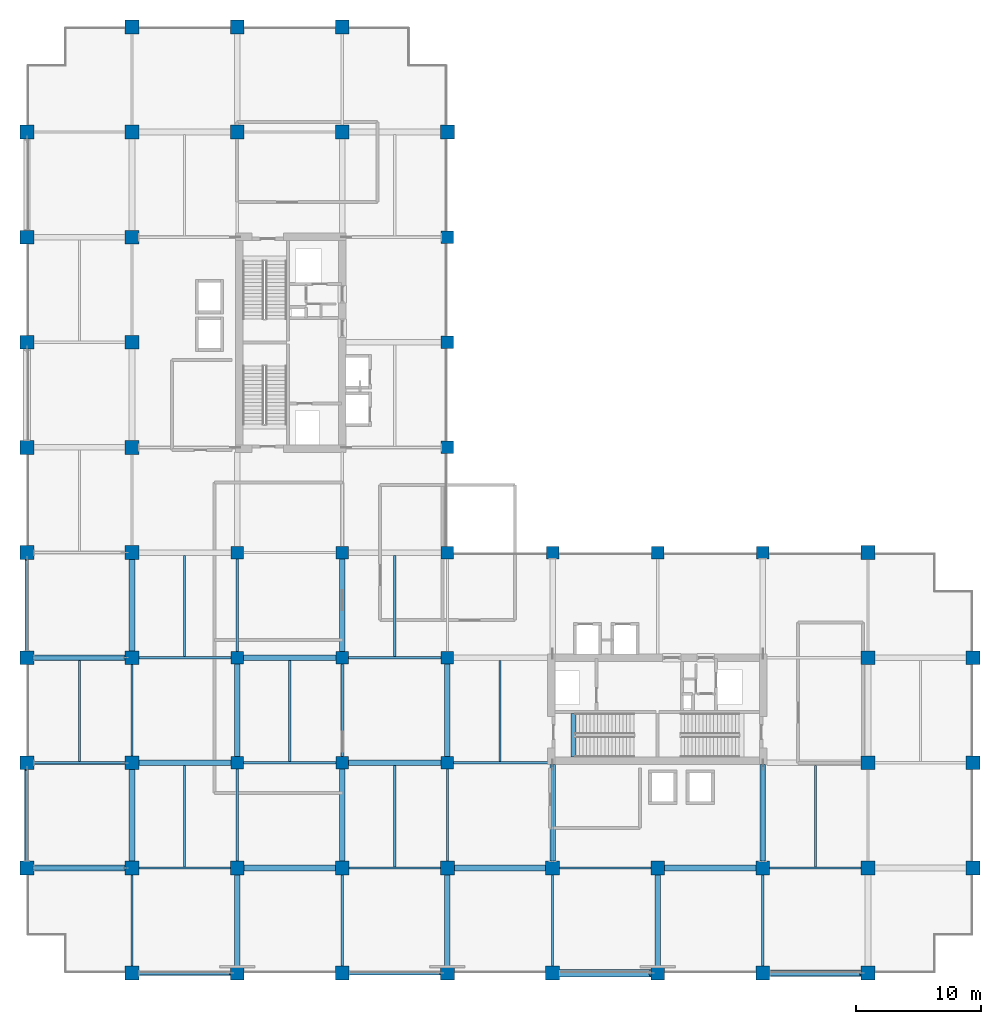
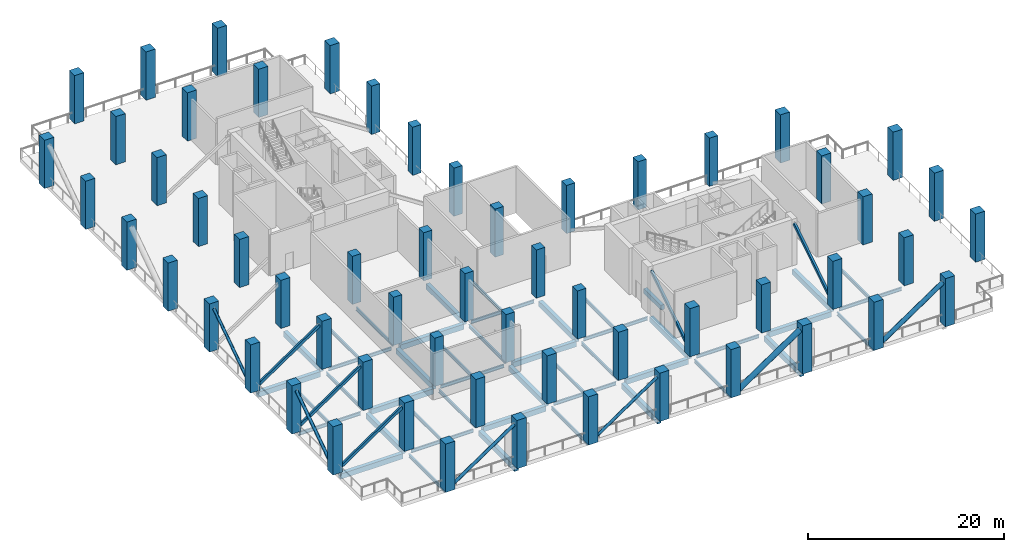
# One storey, part 1 of 18: 58 columns, 46 beams, 11 members.
"""IFC4 building model written with IfcOpenShell, lengths in metres."""

from ifc_helpers import new_model, si_unit, direction, frame, origin, origin_2d, place, context, subcontext, project, spatial, rectangle, hollow_rectangle, hollow_circle, i_section, extrude, material, material_profile, profile_set, type_object, element, save


model = new_model("IFC4")

# Units and contexts
model_context = context("Model", 3, precision=1e-05, world=origin(), true_north=direction((0.0, 1.0)))
body_context = subcontext(model_context, "Body", "Model", "MODEL_VIEW")
ifc_project = project(units=[si_unit("LENGTHUNIT", "METRE"), si_unit("AREAUNIT", "SQUARE_METRE"), si_unit("VOLUMEUNIT", "CUBIC_METRE"), si_unit("PLANEANGLEUNIT", "RADIAN"), si_unit("MASSUNIT", "GRAM", prefix="KILO")], contexts=[model_context])

# Site, building, storey
site_placement = place(None, origin())
site = spatial("IfcSite", under=ifc_project, at=site_placement, CompositionType="ELEMENT")
building_placement = place(site_placement, origin())
building = spatial("IfcBuilding", under=site, at=building_placement, Name="Koriwani Terraces Tower", CompositionType="ELEMENT")
storey_placement = place(building_placement, frame((0.0, 0.0, 228.199951171875)))
storey = spatial("IfcBuildingStorey", under=building, at=storey_placement, Name="L56", CompositionType="ELEMENT", Elevation=228.199951171875)

# Columns
ifc_material_1 = material(Name="Concrete C50/60", Category="concrete")
ifc_material_profile_1 = material_profile(ifc_material_1, rectangle(XDim=1.0, YDim=1.0, at=origin_2d()), Name="Concrete C50/60", Category="LoadBearing")
ifc_profile_set_1 = profile_set([ifc_material_profile_1], Name="Concrete C50/60")
column_type_1 = type_object("IfcColumnType", Name="COL_RC_1000X1000", PredefinedType="COLUMN", material=ifc_profile_set_1)
for number, where, z_axis, x_axis, name in (
    (1, (16.800048828125, 16.800048828125, 0.0), (0.0, 0.0, 1.0), (1.0, 0.0, 0.0), "L56 Column 3/C"),
    (2, (16.800048828125, 25.199951171875, 0.0), (0.0, 0.0, 1.0), (1.0, 0.0, 0.0), "L56 Column 3/D"),
    (3, (16.800048828125, 33.60009765625, 0.0), (0.0, 0.0, 1.0), (1.0, 0.0, 0.0), "L56 Column 3/E"),
    (4, (25.199951171875, 16.800048828125, 0.0), (0.0, 0.0, 1.0), (1.0, 0.0, 0.0), "L56 Column 4/C"),
    (5, (25.199951171875, 25.199951171875, 0.0), (0.0, 0.0, 1.0), (1.0, 0.0, 0.0), "L56 Column 4/D"),
    (6, (25.199951171875, 33.60009765625, 0.0), (0.0, 0.0, 1.0), (1.0, 0.0, 0.0), "L56 Column 4/E"),
    (7, (33.60009765625, 16.800048828125, 0.0), (0.0, 0.0, 1.0), (1.0, 0.0, 0.0), "L56 Column 5/C"),
    (8, (33.60009765625, 25.199951171875, 0.0), (0.0, 0.0, 1.0), (1.0, 0.0, 0.0), "L56 Column 5/D"),
    (9, (33.60009765625, 33.60009765625, 0.0), (0.0, 0.0, 1.0), (1.0, 0.0, 0.0), "L56 Column 5/E"),
    (10, (33.60009765625, 42.0, 0.0), (0.0, 0.0, 1.0), (1.0, 0.0, 0.0), "L56 Column 5/F"),
    (11, (33.60009765625, 50.39990234375, 0.0), (0.0, 0.0, 1.0), (1.0, 0.0, 0.0), "L56 Column 5/G"),
    (12, (33.60009765625, 58.800048828125, 0.0), (0.0, 0.0, 1.0), (1.0, 0.0, 0.0), "L56 Column 5/H"),
    (13, (42.0, 33.60009765625, 0.0), (0.0, 0.0, 1.0), (1.0, 0.0, 0.0), "L56 Column 6/E"),
    (14, (50.39990234375, 33.60009765625, 0.0), (0.0, 0.0, 1.0), (1.0, 0.0, 0.0), "L56 Column 7/E"),
    (15, (58.800048828125, 33.60009765625, 0.0), (0.0, 0.0, 1.0), (1.0, 0.0, 0.0), "L56 Column 8/E"),
):
    element("IfcColumn", number, at=place(storey_placement, frame(where, z_axis=z_axis, x_axis=x_axis)), inside=storey, type_object=column_type_1, Name=name, PredefinedType="COLUMN", context=body_context, shape_type="SweptSolid", body=[
        extrude(rectangle(XDim=1.0, YDim=1.0, at=origin_2d()), origin(), (0.0, 0.0, 1.0), 6.0),
    ])
ifc_material_profile_2 = material_profile(ifc_material_1, rectangle(XDim=1.10009765625, YDim=1.10009765625, at=origin_2d()), Name="Concrete C50/60", Category="LoadBearing")
ifc_profile_set_2 = profile_set([ifc_material_profile_2], Name="Concrete C50/60")
column_type_2 = type_object("IfcColumnType", Name="COL_RC_1100X1100", PredefinedType="COLUMN", material=ifc_profile_set_2)
for number, where, z_axis, x_axis, name in (
    (16, (0.0, 8.39990234375, 0.0), (0.0, 0.0, 1.0), (1.0, 0.0, 0.0), "L56 Column 1/B"),
    (17, (0.0, 16.800048828125, 0.0), (0.0, 0.0, 1.0), (1.0, 0.0, 0.0), "L56 Column 1/C"),
    (18, (0.0, 25.199951171875, 0.0), (0.0, 0.0, 1.0), (1.0, 0.0, 0.0), "L56 Column 1/D"),
    (19, (0.0, 33.60009765625, 0.0), (0.0, 0.0, 1.0), (1.0, 0.0, 0.0), "L56 Column 1/E"),
    (20, (0.0, 42.0, 0.0), (0.0, 0.0, 1.0), (1.0, 0.0, 0.0), "L56 Column 1/F"),
    (21, (0.0, 50.39990234375, 0.0), (0.0, 0.0, 1.0), (1.0, 0.0, 0.0), "L56 Column 1/G"),
    (22, (0.0, 58.800048828125, 0.0), (0.0, 0.0, 1.0), (1.0, 0.0, 0.0), "L56 Column 1/H"),
    (23, (0.0, 67.199951171875, 0.0), (0.0, 0.0, 1.0), (1.0, 0.0, 0.0), "L56 Column 1/I"),
    (24, (8.39990234375, 0.0, 0.0), (0.0, 0.0, 1.0), (1.0, 0.0, 0.0), "L56 Column 2/A"),
    (25, (8.39990234375, 8.39990234375, 0.0), (0.0, 0.0, 1.0), (1.0, 0.0, 0.0), "L56 Column 2/B"),
    (26, (8.39990234375, 16.800048828125, 0.0), (0.0, 0.0, 1.0), (1.0, 0.0, 0.0), "L56 Column 2/C"),
    (27, (8.39990234375, 25.199951171875, 0.0), (0.0, 0.0, 1.0), (1.0, 0.0, 0.0), "L56 Column 2/D"),
    (28, (8.39990234375, 33.60009765625, 0.0), (0.0, 0.0, 1.0), (1.0, 0.0, 0.0), "L56 Column 2/E"),
    (29, (8.39990234375, 42.0, 0.0), (0.0, 0.0, 1.0), (1.0, 0.0, 0.0), "L56 Column 2/F"),
    (30, (8.39990234375, 50.39990234375, 0.0), (0.0, 0.0, 1.0), (1.0, 0.0, 0.0), "L56 Column 2/G"),
    (31, (8.39990234375, 58.800048828125, 0.0), (0.0, 0.0, 1.0), (1.0, 0.0, 0.0), "L56 Column 2/H"),
    (32, (8.39990234375, 67.199951171875, 0.0), (0.0, 0.0, 1.0), (1.0, 0.0, 0.0), "L56 Column 2/I"),
    (33, (8.39990234375, 75.60009765625, 0.0), (0.0, 0.0, 1.0), (1.0, 0.0, 0.0), "L56 Column 2/J"),
    (34, (16.800048828125, 0.0, 0.0), (0.0, 0.0, 1.0), (1.0, 0.0, 0.0), "L56 Column 3/A"),
    (35, (16.800048828125, 8.39990234375, 0.0), (0.0, 0.0, 1.0), (1.0, 0.0, 0.0), "L56 Column 3/B"),
    (36, (16.800048828125, 67.199951171875, 0.0), (0.0, 0.0, 1.0), (1.0, 0.0, 0.0), "L56 Column 3/I"),
    (37, (16.800048828125, 75.60009765625, 0.0), (0.0, 0.0, 1.0), (1.0, 0.0, 0.0), "L56 Column 3/J"),
    (38, (25.199951171875, 0.0, 0.0), (0.0, 0.0, 1.0), (1.0, 0.0, 0.0), "L56 Column 4/A"),
    (39, (25.199951171875, 8.39990234375, 0.0), (0.0, 0.0, 1.0), (1.0, 0.0, 0.0), "L56 Column 4/B"),
    (40, (25.199951171875, 67.199951171875, 0.0), (0.0, 0.0, 1.0), (1.0, 0.0, 0.0), "L56 Column 4/I"),
    (41, (25.199951171875, 75.60009765625, 0.0), (0.0, 0.0, 1.0), (1.0, 0.0, 0.0), "L56 Column 4/J"),
    (42, (33.60009765625, 0.0, 0.0), (0.0, 0.0, 1.0), (1.0, 0.0, 0.0), "L56 Column 5/A"),
    (43, (33.60009765625, 8.39990234375, 0.0), (0.0, 0.0, 1.0), (1.0, 0.0, 0.0), "L56 Column 5/B"),
    (44, (33.60009765625, 67.199951171875, 0.0), (0.0, 0.0, 1.0), (1.0, 0.0, 0.0), "L56 Column 5/I"),
    (45, (42.0, 0.0, 0.0), (0.0, 0.0, 1.0), (1.0, 0.0, 0.0), "L56 Column 6/A"),
    (46, (42.0, 8.39990234375, 0.0), (0.0, 0.0, 1.0), (1.0, 0.0, 0.0), "L56 Column 6/B"),
    (47, (50.39990234375, 0.0, 0.0), (0.0, 0.0, 1.0), (1.0, 0.0, 0.0), "L56 Column 7/A"),
    (48, (50.39990234375, 8.39990234375, 0.0), (0.0, 0.0, 1.0), (1.0, 0.0, 0.0), "L56 Column 7/B"),
    (49, (58.800048828125, 0.0, 0.0), (0.0, 0.0, 1.0), (1.0, 0.0, 0.0), "L56 Column 8/A"),
    (50, (58.800048828125, 8.39990234375, 0.0), (0.0, 0.0, 1.0), (1.0, 0.0, 0.0), "L56 Column 8/B"),
    (51, (67.199951171875, 0.0, 0.0), (0.0, 0.0, 1.0), (1.0, 0.0, 0.0), "L56 Column 9/A"),
    (52, (67.199951171875, 8.39990234375, 0.0), (0.0, 0.0, 1.0), (1.0, 0.0, 0.0), "L56 Column 9/B"),
    (53, (67.199951171875, 16.800048828125, 0.0), (0.0, 0.0, 1.0), (1.0, 0.0, 0.0), "L56 Column 9/C"),
    (54, (67.199951171875, 25.199951171875, 0.0), (0.0, 0.0, 1.0), (1.0, 0.0, 0.0), "L56 Column 9/D"),
    (55, (67.199951171875, 33.60009765625, 0.0), (0.0, 0.0, 1.0), (1.0, 0.0, 0.0), "L56 Column 9/E"),
    (56, (75.60009765625, 8.39990234375, 0.0), (0.0, 0.0, 1.0), (1.0, 0.0, 0.0), "L56 Column 10/B"),
    (57, (75.60009765625, 16.800048828125, 0.0), (0.0, 0.0, 1.0), (1.0, 0.0, 0.0), "L56 Column 10/C"),
    (58, (75.60009765625, 25.199951171875, 0.0), (0.0, 0.0, 1.0), (1.0, 0.0, 0.0), "L56 Column 10/D"),
):
    element("IfcColumn", number, at=place(storey_placement, frame(where, z_axis=z_axis, x_axis=x_axis)), inside=storey, type_object=column_type_2, Name=name, PredefinedType="COLUMN", context=body_context, shape_type="SweptSolid", body=[
        extrude(rectangle(XDim=1.10009765625, YDim=1.10009765625, at=origin_2d()), origin(), (0.0, 0.0, 1.0), 6.0),
    ])

# Beams
ifc_material_2 = material(Name="Concrete C40/50", Category="concrete")
ifc_material_profile_3 = material_profile(ifc_material_2, rectangle(XDim=0.39990234375, YDim=0.60009765625, at=origin_2d()), Name="Concrete C40/50", Category="LoadBearing")
ifc_profile_set_3 = profile_set([ifc_material_profile_3], Name="Concrete C40/50")
beam_type_1 = type_object("IfcBeamType", Name="BEAM_RC_GRID_400X600", PredefinedType="BEAM", material=ifc_profile_set_3)
beam_1_placement = place(storey_placement, frame((43.655029296875, 17.25, -0.300048828125), z_axis=(0.0, 1.0, 0.0), x_axis=(-1.0, 0.0, 0.0)))
element("IfcBeam", 59, at=beam_1_placement, inside=storey, type_object=beam_type_1, Name="L56 Stairwell Header Trimmer Beam ST-E1", PredefinedType="BEAM", context=body_context, shape_type="SweptSolid", body=[
    extrude(rectangle(XDim=0.39990234375, YDim=0.60009765625, at=origin_2d()), origin(), (0.0, 0.0, 1.0), 3.5),
])
ifc_material_profile_4 = material_profile(ifc_material_1, rectangle(XDim=0.449951171875, YDim=0.64990234375, at=origin_2d()), Name="Concrete C50/60", Category="LoadBearing")
ifc_profile_set_4 = profile_set([ifc_material_profile_4], Name="Concrete C50/60")
beam_type_2 = type_object("IfcBeamType", Name="BEAM_RC_GRID_450X650", PredefinedType="BEAM", material=ifc_profile_set_4)
beam_2_placement = place(storey_placement, frame((0.530029296875, 8.39990234375, -0.77490234375), z_axis=(1.0, 0.0, 0.0), x_axis=(0.0, 1.0, 0.0)))
element("IfcBeam", 60, at=beam_2_placement, inside=storey, type_object=beam_type_2, Name="L56 Grid Beam B (0.0-8.4m)", PredefinedType="BEAM", context=body_context, shape_type="SweptSolid", body=[
    extrude(rectangle(XDim=0.449951171875, YDim=0.64990234375, at=origin_2d()), origin(), (0.0, 0.0, 1.0), 7.340087890625),
])
beam_3_placement = place(storey_placement, frame((17.330078125, 8.39990234375, -0.77490234375), z_axis=(1.0, 0.0, 0.0), x_axis=(0.0, 1.0, 0.0)))
element("IfcBeam", 61, at=beam_3_placement, inside=storey, type_object=beam_type_2, Name="L56 Grid Beam B (16.8-25.2m)", PredefinedType="BEAM", context=body_context, shape_type="SweptSolid", body=[
    extrude(rectangle(XDim=0.449951171875, YDim=0.64990234375, at=origin_2d()), origin(), (0.0, 0.0, 1.0), 7.33984375),
])
for number, where, z_axis, x_axis, name in (
    (62, (34.1298828125, 8.39990234375, -0.77490234375), (1.0, 0.0, 0.0), (0.0, 1.0, 0.0), "L56 Grid Beam B (33.6-42.0m)"),
    (63, (50.929931640625, 8.39990234375, -0.77490234375), (1.0, 0.0, 0.0), (0.0, 1.0, 0.0), "L56 Grid Beam B (50.4-58.8m)"),
):
    element("IfcBeam", number, at=place(storey_placement, frame(where, z_axis=z_axis, x_axis=x_axis)), inside=storey, type_object=beam_type_2, Name=name, PredefinedType="BEAM", context=body_context, shape_type="SweptSolid", body=[
        extrude(rectangle(XDim=0.449951171875, YDim=0.64990234375, at=origin_2d()), origin(), (0.0, 0.0, 1.0), 7.340087890625),
    ])
beam_4_placement = place(storey_placement, frame((8.929931640625, 16.800048828125, -0.77490234375), z_axis=(1.0, 0.0, 0.0), x_axis=(0.0, 1.0, 0.0)))
element("IfcBeam", 64, at=beam_4_placement, inside=storey, type_object=beam_type_2, Name="L56 Grid Beam C (8.4-16.8m)", PredefinedType="BEAM", context=body_context, shape_type="SweptSolid", body=[
    extrude(rectangle(XDim=0.449951171875, YDim=0.64990234375, at=origin_2d()), origin(), (0.0, 0.0, 1.0), 7.39013671875),
])
beam_5_placement = place(storey_placement, frame((25.679931640625, 16.800048828125, -0.77490234375), z_axis=(1.0, 0.0, 0.0), x_axis=(0.0, 1.0, 0.0)))
element("IfcBeam", 65, at=beam_5_placement, inside=storey, type_object=beam_type_2, Name="L56 Grid Beam C (25.2-33.6m)", PredefinedType="BEAM", context=body_context, shape_type="SweptSolid", body=[
    extrude(rectangle(XDim=0.449951171875, YDim=0.64990234375, at=origin_2d()), origin(), (0.0, 0.0, 1.0), 7.440185546875),
])
beam_6_placement = place(storey_placement, frame((0.530029296875, 25.199951171875, -0.77490234375), z_axis=(1.0, 0.0, 0.0), x_axis=(0.0, 1.0, 0.0)))
element("IfcBeam", 66, at=beam_6_placement, inside=storey, type_object=beam_type_2, Name="L56 Grid Beam D (0.0-8.4m)", PredefinedType="BEAM", context=body_context, shape_type="SweptSolid", body=[
    extrude(rectangle(XDim=0.449951171875, YDim=0.64990234375, at=origin_2d()), origin(), (0.0, 0.0, 1.0), 7.340087890625),
])
beam_7_placement = place(storey_placement, frame((17.280029296875, 25.199951171875, -0.77490234375), z_axis=(1.0, 0.0, 0.0), x_axis=(0.0, 1.0, 0.0)))
element("IfcBeam", 67, at=beam_7_placement, inside=storey, type_object=beam_type_2, Name="L56 Grid Beam D (16.8-25.2m)", PredefinedType="BEAM", context=body_context, shape_type="SweptSolid", body=[
    extrude(rectangle(XDim=0.449951171875, YDim=0.64990234375, at=origin_2d()), origin(), (0.0, 0.0, 1.0), 7.43994140625),
])
for number, where, z_axis, x_axis, name in (
    (68, (8.39990234375, 8.929931640625, -0.77490234375), (0.0, 1.0, 0.0), (-1.0, 0.0, 0.0), "L56 Grid Beam 2 (8.4-16.8m)"),
    (69, (8.39990234375, 25.72998046875, -0.77490234375), (0.0, 1.0, 0.0), (-1.0, 0.0, 0.0), "L56 Grid Beam 2 (25.2-33.6m)"),
    (70, (16.800048828125, 0.530029296875, -0.77490234375), (0.0, 1.0, 0.0), (-1.0, 0.0, 0.0), "L56 Grid Beam 3 (0.0-8.4m)"),
):
    element("IfcBeam", number, at=place(storey_placement, frame(where, z_axis=z_axis, x_axis=x_axis)), inside=storey, type_object=beam_type_2, Name=name, PredefinedType="BEAM", context=body_context, shape_type="SweptSolid", body=[
        extrude(rectangle(XDim=0.449951171875, YDim=0.64990234375, at=origin_2d()), origin(), (0.0, 0.0, 1.0), 7.340087890625),
    ])
beam_8_placement = place(storey_placement, frame((16.800048828125, 17.280029296875, -0.77490234375), z_axis=(0.0, 1.0, 0.0), x_axis=(-1.0, 0.0, 0.0)))
element("IfcBeam", 71, at=beam_8_placement, inside=storey, type_object=beam_type_2, Name="L56 Grid Beam 3 (16.8-25.2m)", PredefinedType="BEAM", context=body_context, shape_type="SweptSolid", body=[
    extrude(rectangle(XDim=0.449951171875, YDim=0.64990234375, at=origin_2d()), origin(), (0.0, 0.0, 1.0), 7.43994140625),
])
beam_9_placement = place(storey_placement, frame((25.199951171875, 8.929931640625, -0.77490234375), z_axis=(0.0, 1.0, 0.0), x_axis=(-1.0, 0.0, 0.0)))
element("IfcBeam", 72, at=beam_9_placement, inside=storey, type_object=beam_type_2, Name="L56 Grid Beam 4 (8.4-16.8m)", PredefinedType="BEAM", context=body_context, shape_type="SweptSolid", body=[
    extrude(rectangle(XDim=0.449951171875, YDim=0.64990234375, at=origin_2d()), origin(), (0.0, 0.0, 1.0), 7.39013671875),
])
beam_10_placement = place(storey_placement, frame((25.199951171875, 25.679931640625, -0.77490234375), z_axis=(0.0, 1.0, 0.0), x_axis=(-1.0, 0.0, 0.0)))
element("IfcBeam", 73, at=beam_10_placement, inside=storey, type_object=beam_type_2, Name="L56 Grid Beam 4 (25.2-33.6m)", PredefinedType="BEAM", context=body_context, shape_type="SweptSolid", body=[
    extrude(rectangle(XDim=0.449951171875, YDim=0.64990234375, at=origin_2d()), origin(), (0.0, 0.0, 1.0), 7.440185546875),
])
beam_11_placement = place(storey_placement, frame((33.60009765625, 0.530029296875, -0.77490234375), z_axis=(0.0, 1.0, 0.0), x_axis=(-1.0, 0.0, 0.0)))
element("IfcBeam", 74, at=beam_11_placement, inside=storey, type_object=beam_type_2, Name="L56 Grid Beam 5 (0.0-8.4m)", PredefinedType="BEAM", context=body_context, shape_type="SweptSolid", body=[
    extrude(rectangle(XDim=0.449951171875, YDim=0.64990234375, at=origin_2d()), origin(), (0.0, 0.0, 1.0), 7.340087890625),
])
beam_12_placement = place(storey_placement, frame((33.60009765625, 17.280029296875, -0.77490234375), z_axis=(0.0, 1.0, 0.0), x_axis=(-1.0, 0.0, 0.0)))
element("IfcBeam", 75, at=beam_12_placement, inside=storey, type_object=beam_type_2, Name="L56 Grid Beam 5 (16.8-25.2m)", PredefinedType="BEAM", context=body_context, shape_type="SweptSolid", body=[
    extrude(rectangle(XDim=0.449951171875, YDim=0.64990234375, at=origin_2d()), origin(), (0.0, 0.0, 1.0), 7.43994140625),
])
beam_13_placement = place(storey_placement, frame((42.0, 8.929931640625, -0.77490234375), z_axis=(0.0, 1.0, 0.0), x_axis=(-1.0, 0.0, 0.0)))
element("IfcBeam", 76, at=beam_13_placement, inside=storey, type_object=beam_type_2, Name="L56 Grid Beam 6 (8.4-16.8m)", PredefinedType="BEAM", context=body_context, shape_type="SweptSolid", body=[
    extrude(rectangle(XDim=0.449951171875, YDim=0.64990234375, at=origin_2d()), origin(), (0.0, 0.0, 1.0), 7.739990234375),
])
beam_14_placement = place(storey_placement, frame((50.39990234375, 0.530029296875, -0.77490234375), z_axis=(0.0, 1.0, 0.0), x_axis=(-1.0, 0.0, 0.0)))
element("IfcBeam", 77, at=beam_14_placement, inside=storey, type_object=beam_type_2, Name="L56 Grid Beam 7 (0.0-8.4m)", PredefinedType="BEAM", context=body_context, shape_type="SweptSolid", body=[
    extrude(rectangle(XDim=0.449951171875, YDim=0.64990234375, at=origin_2d()), origin(), (0.0, 0.0, 1.0), 7.340087890625),
])
beam_15_placement = place(storey_placement, frame((58.800048828125, 8.929931640625, -0.77490234375), z_axis=(0.0, 1.0, 0.0), x_axis=(-1.0, 0.0, 0.0)))
element("IfcBeam", 78, at=beam_15_placement, inside=storey, type_object=beam_type_2, Name="L56 Grid Beam 8 (8.4-16.8m)", PredefinedType="BEAM", context=body_context, shape_type="SweptSolid", body=[
    extrude(rectangle(XDim=0.449951171875, YDim=0.64990234375, at=origin_2d()), origin(), (0.0, 0.0, 1.0), 7.739990234375),
])

# Members
ifc_material_3 = material(Name="Steel ASTM A572 Grade 50", Category="steel")
ifc_material_profile_5 = material_profile(ifc_material_3, hollow_circle(Radius=0.162109375, WallThickness=0.012451171875, at=origin_2d()), Name="Steel ASTM A572 Grade 50", Category="LoadBearing")
ifc_profile_set_5 = profile_set([ifc_material_profile_5], Name="Steel ASTM A572 Grade 50")
member_type_1 = type_object("IfcMemberType", Name="BELT_TRUSS_DIAG_CHS324X12", PredefinedType="BRACE", material=ifc_profile_set_5)
for number, where, z_axis, x_axis, name in (
    (79, (25.72998046875, 0.0, 0.25), (0.828041606434, 0.0, 0.560666654987), (0.0, 1.0, 0.0), "Belt truss diagonal L56-BS2"),
    (80, (0.0, 25.72998046875, 0.25), (0.0, 0.828041606434, 0.560666654987), (-1.0, 0.0, 0.0), "Belt truss diagonal L56-BW2"),
):
    element("IfcMember", number, at=place(storey_placement, frame(where, z_axis=z_axis, x_axis=x_axis)), inside=storey, type_object=member_type_1, Name=name, PredefinedType="BRACE", context=body_context, shape_type="SweptSolid", body=[
        extrude(hollow_circle(Radius=0.162109375, WallThickness=0.012451171875, at=origin_2d()), origin(), (0.0, 0.0, 1.0), 8.864501953125),
    ])
ifc_material_profile_6 = material_profile(ifc_material_3, hollow_circle(Radius=0.177978515625, WallThickness=0.012451171875, at=origin_2d()), Name="Steel ASTM A572 Grade 50", Category="LoadBearing")
ifc_profile_set_6 = profile_set([ifc_material_profile_6], Name="Steel ASTM A572 Grade 50")
member_type_2 = type_object("IfcMemberType", Name="BELT_TRUSS_DIAG_CHS356X12", PredefinedType="BRACE", material=ifc_profile_set_6)
for number, where, z_axis, x_axis, name in (
    (81, (8.929931640625, 0.0, 0.25), (0.828041606434, 0.0, 0.560666654987), (0.0, 1.0, 0.0), "Belt truss diagonal L56-BS1"),
    (82, (0.0, 8.929931640625, 0.25), (0.0, 0.828041606434, 0.560666654987), (-1.0, 0.0, 0.0), "Belt truss diagonal L56-BW1"),
):
    element("IfcMember", number, at=place(storey_placement, frame(where, z_axis=z_axis, x_axis=x_axis)), inside=storey, type_object=member_type_2, Name=name, PredefinedType="BRACE", context=body_context, shape_type="SweptSolid", body=[
        extrude(hollow_circle(Radius=0.177978515625, WallThickness=0.012451171875, at=origin_2d()), origin(), (0.0, 0.0, 1.0), 8.864501953125),
    ])
ifc_material_profile_7 = material_profile(ifc_material_3, hollow_circle(Radius=0.25390625, WallThickness=0.02001953125, at=origin_2d()), Name="Steel ASTM A572 Grade 50", Category="LoadBearing")
ifc_profile_set_7 = profile_set([ifc_material_profile_7], Name="Steel ASTM A572 Grade 50")
member_type_3 = type_object("IfcMemberType", Name="BELT_TRUSS_DIAG_CHS508X20", PredefinedType="STRUT", material=ifc_profile_set_7)
member_1_placement = place(storey_placement, frame((59.330078125, 0.0, 0.25), z_axis=(0.82803294848, 0.0, 0.560679441598), x_axis=(0.0, 1.0, 0.0)))
element("IfcMember", 83, at=member_1_placement, inside=storey, type_object=member_type_3, Name="Belt truss diagonal L56-BS4", PredefinedType="STRUT", context=body_context, shape_type="SweptSolid", body=[
    extrude(hollow_circle(Radius=0.25390625, WallThickness=0.02001953125, at=origin_2d()), origin(), (0.0, 0.0, 1.0), 8.8642578125),
])
ifc_material_profile_8 = material_profile(ifc_material_3, hollow_circle(Radius=0.304931640625, WallThickness=0.02490234375, at=origin_2d()), Name="Steel ASTM A572 Grade 50", Category="LoadBearing")
ifc_profile_set_8 = profile_set([ifc_material_profile_8], Name="Steel ASTM A572 Grade 50")
member_type_4 = type_object("IfcMemberType", Name="BELT_TRUSS_DIAG_CHS610X25", PredefinedType="STRUT", material=ifc_profile_set_8)
member_2_placement = place(storey_placement, frame((42.530029296875, 0.0, 0.25), z_axis=(0.828041606434, 0.0, 0.560666654987), x_axis=(0.0, 1.0, 0.0)))
element("IfcMember", 84, at=member_2_placement, inside=storey, type_object=member_type_4, Name="Belt truss diagonal L56-BS3", PredefinedType="STRUT", context=body_context, shape_type="SweptSolid", body=[
    extrude(hollow_circle(Radius=0.304931640625, WallThickness=0.02490234375, at=origin_2d()), origin(), (0.0, 0.0, 1.0), 8.864501953125),
])
ifc_material_profile_9 = material_profile(ifc_material_3, hollow_rectangle(XDim=0.25, YDim=0.35009765625, WallThickness=0.012451171875, at=origin_2d()), Name="Steel ASTM A572 Grade 50", Category="LoadBearing")
ifc_profile_set_9 = profile_set([ifc_material_profile_9], Name="Steel ASTM A572 Grade 50")
member_type_5 = type_object("IfcMemberType", Name="OUTRIGGER_BRACE_HSS350X250X12", PredefinedType="BRACE", material=ifc_profile_set_9)
for number, where, z_axis, x_axis, name in (
    (85, (42.0, 8.929931640625, 0.25), (0.0, 0.840184278285, 0.542301003616), (-1.0, 0.0, 0.0), "Outrigger truss diagonal L56-OE-S1"),
    (86, (58.800048828125, 8.929931640625, 0.25), (0.0, 0.840184278285, 0.542301003616), (-1.0, 0.0, 0.0), "Outrigger truss diagonal L56-OE-S2"),
):
    element("IfcMember", number, at=place(storey_placement, frame(where, z_axis=z_axis, x_axis=x_axis)), inside=storey, type_object=member_type_5, Name=name, PredefinedType="BRACE", context=body_context, shape_type="SweptSolid", body=[
        extrude(hollow_rectangle(XDim=0.25, YDim=0.35009765625, WallThickness=0.012451171875, at=origin_2d()), origin(), (0.0, 0.0, 1.0), 9.16455078125),
    ])
for number, where, z_axis, x_axis, name in (
    (87, (0.530029296875, 8.39990234375, 0.25), (0.828041606434, 0.0, 0.560666654987), (0.0, 1.0, 0.0), "Transfer truss spine setback diagonal L56 Y=8.4m"),
    (88, (0.530029296875, 16.800048828125, 0.25), (0.828041606434, 0.0, 0.560666654987), (0.0, 1.0, 0.0), "Transfer truss spine setback diagonal L56 Y=16.8m"),
    (89, (0.530029296875, 25.199951171875, 0.25), (0.828041606434, 0.0, 0.560666654987), (0.0, 1.0, 0.0), "Transfer truss spine setback diagonal L56 Y=25.2m"),
):
    element("IfcMember", number, at=place(storey_placement, frame(where, z_axis=z_axis, x_axis=x_axis)), inside=storey, type_object=member_type_5, Name=name, PredefinedType="BRACE", context=body_context, shape_type="SweptSolid", body=[
        extrude(hollow_rectangle(XDim=0.25, YDim=0.35009765625, WallThickness=0.012451171875, at=origin_2d()), origin(), (0.0, 0.0, 1.0), 8.864501953125),
    ])

# Beams
ifc_material_profile_10 = material_profile(ifc_material_3, i_section(OverallWidth=0.180908203125, OverallDepth=0.4169921875, WebThickness=0.010986328125, FlangeThickness=0.018310546875, at=origin_2d()), Name="Steel ASTM A572 Grade 50", Category="LoadBearing")
ifc_profile_set_10 = profile_set([ifc_material_profile_10], Name="Steel ASTM A572 Grade 50")
beam_type_3 = type_object("IfcBeamType", Name="STEEL_BEAM_W410X85", PredefinedType="JOIST", material=ifc_profile_set_10)
for number, where, z_axis, x_axis, name in (
    (90, (8.929931640625, 8.39990234375, -0.658447265625), (1.0, 0.0, 0.0), (0.0, 1.0, 0.0), "L56 Grid Beam B (8.4-16.8m)"),
    (91, (25.72998046875, 8.39990234375, -0.658447265625), (1.0, 0.0, 0.0), (0.0, 1.0, 0.0), "L56 Grid Beam B (25.2-33.6m)"),
    (92, (42.530029296875, 8.39990234375, -0.658447265625), (1.0, 0.0, 0.0), (0.0, 1.0, 0.0), "L56 Grid Beam B (42.0-50.4m)"),
):
    element("IfcBeam", number, at=place(storey_placement, frame(where, z_axis=z_axis, x_axis=x_axis)), inside=storey, type_object=beam_type_3, Name=name, PredefinedType="JOIST", context=body_context, shape_type="SweptSolid", body=[
        extrude(i_section(OverallWidth=0.180908203125, OverallDepth=0.4169921875, WebThickness=0.010986328125, FlangeThickness=0.018310546875, at=origin_2d()), origin(), (0.0, 0.0, 1.0), 7.340087890625),
    ])
beam_16_placement = place(storey_placement, frame((59.330078125, 8.39990234375, -0.658447265625), z_axis=(1.0, 0.0, 0.0), x_axis=(0.0, 1.0, 0.0)))
element("IfcBeam", 93, at=beam_16_placement, inside=storey, type_object=beam_type_3, Name="L56 Grid Beam B (58.8-67.2m)", PredefinedType="JOIST", context=body_context, shape_type="SweptSolid", body=[
    extrude(i_section(OverallWidth=0.180908203125, OverallDepth=0.4169921875, WebThickness=0.010986328125, FlangeThickness=0.018310546875, at=origin_2d()), origin(), (0.0, 0.0, 1.0), 7.33984375),
])
beam_17_placement = place(storey_placement, frame((0.530029296875, 16.800048828125, -0.658447265625), z_axis=(1.0, 0.0, 0.0), x_axis=(0.0, 1.0, 0.0)))
element("IfcBeam", 94, at=beam_17_placement, inside=storey, type_object=beam_type_3, Name="L56 Grid Beam C (0.0-8.4m)", PredefinedType="JOIST", context=body_context, shape_type="SweptSolid", body=[
    extrude(i_section(OverallWidth=0.180908203125, OverallDepth=0.4169921875, WebThickness=0.010986328125, FlangeThickness=0.018310546875, at=origin_2d()), origin(), (0.0, 0.0, 1.0), 7.340087890625),
])
beam_18_placement = place(storey_placement, frame((17.280029296875, 16.800048828125, -0.658447265625), z_axis=(1.0, 0.0, 0.0), x_axis=(0.0, 1.0, 0.0)))
element("IfcBeam", 95, at=beam_18_placement, inside=storey, type_object=beam_type_3, Name="L56 Grid Beam C (16.8-25.2m)", PredefinedType="JOIST", context=body_context, shape_type="SweptSolid", body=[
    extrude(i_section(OverallWidth=0.180908203125, OverallDepth=0.4169921875, WebThickness=0.010986328125, FlangeThickness=0.018310546875, at=origin_2d()), origin(), (0.0, 0.0, 1.0), 7.43994140625),
])
beam_19_placement = place(storey_placement, frame((34.080078125, 16.800048828125, -0.658447265625), z_axis=(1.0, 0.0, 0.0), x_axis=(0.0, 1.0, 0.0)))
element("IfcBeam", 96, at=beam_19_placement, inside=storey, type_object=beam_type_3, Name="L56 Grid Beam C (33.6-42.0m)", PredefinedType="JOIST", context=body_context, shape_type="SweptSolid", body=[
    extrude(i_section(OverallWidth=0.180908203125, OverallDepth=0.4169921875, WebThickness=0.010986328125, FlangeThickness=0.018310546875, at=origin_2d()), origin(), (0.0, 0.0, 1.0), 7.5400390625),
])
beam_20_placement = place(storey_placement, frame((8.929931640625, 25.199951171875, -0.658447265625), z_axis=(1.0, 0.0, 0.0), x_axis=(0.0, 1.0, 0.0)))
element("IfcBeam", 97, at=beam_20_placement, inside=storey, type_object=beam_type_3, Name="L56 Grid Beam D (8.4-16.8m)", PredefinedType="JOIST", context=body_context, shape_type="SweptSolid", body=[
    extrude(i_section(OverallWidth=0.180908203125, OverallDepth=0.4169921875, WebThickness=0.010986328125, FlangeThickness=0.018310546875, at=origin_2d()), origin(), (0.0, 0.0, 1.0), 7.39013671875),
])
beam_21_placement = place(storey_placement, frame((25.679931640625, 25.199951171875, -0.658447265625), z_axis=(1.0, 0.0, 0.0), x_axis=(0.0, 1.0, 0.0)))
element("IfcBeam", 98, at=beam_21_placement, inside=storey, type_object=beam_type_3, Name="L56 Grid Beam D (25.2-33.6m)", PredefinedType="JOIST", context=body_context, shape_type="SweptSolid", body=[
    extrude(i_section(OverallWidth=0.180908203125, OverallDepth=0.4169921875, WebThickness=0.010986328125, FlangeThickness=0.018310546875, at=origin_2d()), origin(), (0.0, 0.0, 1.0), 7.440185546875),
])
beam_22_placement = place(storey_placement, frame((8.39990234375, 0.530029296875, -0.658447265625), z_axis=(0.0, 1.0, 0.0), x_axis=(-1.0, 0.0, 0.0)))
element("IfcBeam", 99, at=beam_22_placement, inside=storey, type_object=beam_type_3, Name="L56 Grid Beam 2 (0.0-8.4m)", PredefinedType="JOIST", context=body_context, shape_type="SweptSolid", body=[
    extrude(i_section(OverallWidth=0.180908203125, OverallDepth=0.4169921875, WebThickness=0.010986328125, FlangeThickness=0.018310546875, at=origin_2d()), origin(), (0.0, 0.0, 1.0), 7.340087890625),
])
beam_23_placement = place(storey_placement, frame((8.39990234375, 17.330078125, -0.658447265625), z_axis=(0.0, 1.0, 0.0), x_axis=(-1.0, 0.0, 0.0)))
element("IfcBeam", 100, at=beam_23_placement, inside=storey, type_object=beam_type_3, Name="L56 Grid Beam 2 (16.8-25.2m)", PredefinedType="JOIST", context=body_context, shape_type="SweptSolid", body=[
    extrude(i_section(OverallWidth=0.180908203125, OverallDepth=0.4169921875, WebThickness=0.010986328125, FlangeThickness=0.018310546875, at=origin_2d()), origin(), (0.0, 0.0, 1.0), 7.33984375),
])
beam_24_placement = place(storey_placement, frame((16.800048828125, 8.929931640625, -0.658447265625), z_axis=(0.0, 1.0, 0.0), x_axis=(-1.0, 0.0, 0.0)))
element("IfcBeam", 101, at=beam_24_placement, inside=storey, type_object=beam_type_3, Name="L56 Grid Beam 3 (8.4-16.8m)", PredefinedType="JOIST", context=body_context, shape_type="SweptSolid", body=[
    extrude(i_section(OverallWidth=0.180908203125, OverallDepth=0.4169921875, WebThickness=0.010986328125, FlangeThickness=0.018310546875, at=origin_2d()), origin(), (0.0, 0.0, 1.0), 7.39013671875),
])
beam_25_placement = place(storey_placement, frame((16.800048828125, 25.679931640625, -0.658447265625), z_axis=(0.0, 1.0, 0.0), x_axis=(-1.0, 0.0, 0.0)))
element("IfcBeam", 102, at=beam_25_placement, inside=storey, type_object=beam_type_3, Name="L56 Grid Beam 3 (25.2-33.6m)", PredefinedType="JOIST", context=body_context, shape_type="SweptSolid", body=[
    extrude(i_section(OverallWidth=0.180908203125, OverallDepth=0.4169921875, WebThickness=0.010986328125, FlangeThickness=0.018310546875, at=origin_2d()), origin(), (0.0, 0.0, 1.0), 7.440185546875),
])
beam_26_placement = place(storey_placement, frame((25.199951171875, 0.530029296875, -0.658447265625), z_axis=(0.0, 1.0, 0.0), x_axis=(-1.0, 0.0, 0.0)))
element("IfcBeam", 103, at=beam_26_placement, inside=storey, type_object=beam_type_3, Name="L56 Grid Beam 4 (0.0-8.4m)", PredefinedType="JOIST", context=body_context, shape_type="SweptSolid", body=[
    extrude(i_section(OverallWidth=0.180908203125, OverallDepth=0.4169921875, WebThickness=0.010986328125, FlangeThickness=0.018310546875, at=origin_2d()), origin(), (0.0, 0.0, 1.0), 7.340087890625),
])
beam_27_placement = place(storey_placement, frame((25.199951171875, 17.280029296875, -0.658447265625), z_axis=(0.0, 1.0, 0.0), x_axis=(-1.0, 0.0, 0.0)))
element("IfcBeam", 104, at=beam_27_placement, inside=storey, type_object=beam_type_3, Name="L56 Grid Beam 4 (16.8-25.2m)", PredefinedType="JOIST", context=body_context, shape_type="SweptSolid", body=[
    extrude(i_section(OverallWidth=0.180908203125, OverallDepth=0.4169921875, WebThickness=0.010986328125, FlangeThickness=0.018310546875, at=origin_2d()), origin(), (0.0, 0.0, 1.0), 7.43994140625),
])
beam_28_placement = place(storey_placement, frame((33.60009765625, 8.929931640625, -0.658447265625), z_axis=(0.0, 1.0, 0.0), x_axis=(-1.0, 0.0, 0.0)))
element("IfcBeam", 105, at=beam_28_placement, inside=storey, type_object=beam_type_3, Name="L56 Grid Beam 5 (8.4-16.8m)", PredefinedType="JOIST", context=body_context, shape_type="SweptSolid", body=[
    extrude(i_section(OverallWidth=0.180908203125, OverallDepth=0.4169921875, WebThickness=0.010986328125, FlangeThickness=0.018310546875, at=origin_2d()), origin(), (0.0, 0.0, 1.0), 7.39013671875),
])
for number, where, z_axis, x_axis, name in (
    (106, (42.0, 0.530029296875, -0.658447265625), (0.0, 1.0, 0.0), (-1.0, 0.0, 0.0), "L56 Grid Beam 6 (0.0-8.4m)"),
    (107, (58.800048828125, 0.530029296875, -0.658447265625), (0.0, 1.0, 0.0), (-1.0, 0.0, 0.0), "L56 Grid Beam 8 (0.0-8.4m)"),
):
    element("IfcBeam", number, at=place(storey_placement, frame(where, z_axis=z_axis, x_axis=x_axis)), inside=storey, type_object=beam_type_3, Name=name, PredefinedType="JOIST", context=body_context, shape_type="SweptSolid", body=[
        extrude(i_section(OverallWidth=0.180908203125, OverallDepth=0.4169921875, WebThickness=0.010986328125, FlangeThickness=0.018310546875, at=origin_2d()), origin(), (0.0, 0.0, 1.0), 7.340087890625),
    ])
for number, where, z_axis, x_axis, name in (
    (108, (4.199951171875, 16.880615234375, -0.658447265625), (0.0, 1.0, 0.0), (-1.0, 0.0, 0.0), "L56 Secondary Steel Floor Joist X=4.2m"),
    (109, (12.60009765625, 8.48046875, -0.658447265625), (0.0, 1.0, 0.0), (-1.0, 0.0, 0.0), "L56 Secondary Steel Floor Joist X=12.6m"),
    (110, (12.60009765625, 25.280517578125, -0.658447265625), (0.0, 1.0, 0.0), (-1.0, 0.0, 0.0), "L56 Secondary Steel Floor Joist X=12.6m"),
    (111, (21.0, 16.880615234375, -0.658447265625), (0.0, 1.0, 0.0), (-1.0, 0.0, 0.0), "L56 Secondary Steel Floor Joist X=21.0m"),
    (112, (29.39990234375, 8.48046875, -0.658447265625), (0.0, 1.0, 0.0), (-1.0, 0.0, 0.0), "L56 Secondary Steel Floor Joist X=29.4m"),
    (113, (29.39990234375, 25.280517578125, -0.658447265625), (0.0, 1.0, 0.0), (-1.0, 0.0, 0.0), "L56 Secondary Steel Floor Joist X=29.4m"),
    (114, (37.800048828125, 16.880615234375, -0.658447265625), (0.0, 1.0, 0.0), (-1.0, 0.0, 0.0), "L56 Secondary Steel Floor Joist X=37.8m"),
    (115, (63.0, 8.48046875, -0.658447265625), (0.0, 1.0, 0.0), (-1.0, 0.0, 0.0), "L56 Secondary Steel Floor Joist X=63.0m"),
):
    element("IfcBeam", number, at=place(storey_placement, frame(where, z_axis=z_axis, x_axis=x_axis)), inside=storey, type_object=beam_type_3, Name=name, PredefinedType="JOIST", context=body_context, shape_type="SweptSolid", body=[
        extrude(i_section(OverallWidth=0.180908203125, OverallDepth=0.4169921875, WebThickness=0.010986328125, FlangeThickness=0.018310546875, at=origin_2d()), origin(), (0.0, 0.0, 1.0), 8.1044921875),
    ])

save(model, "model.ifc")
